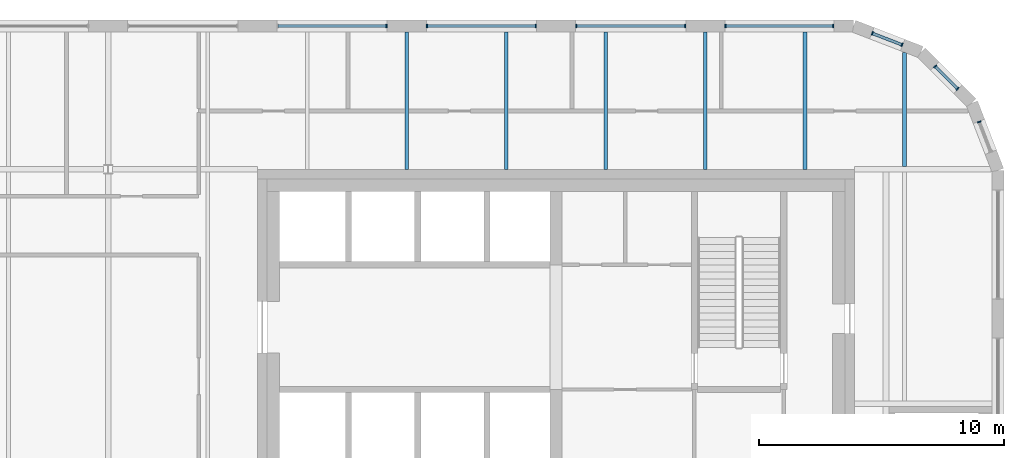
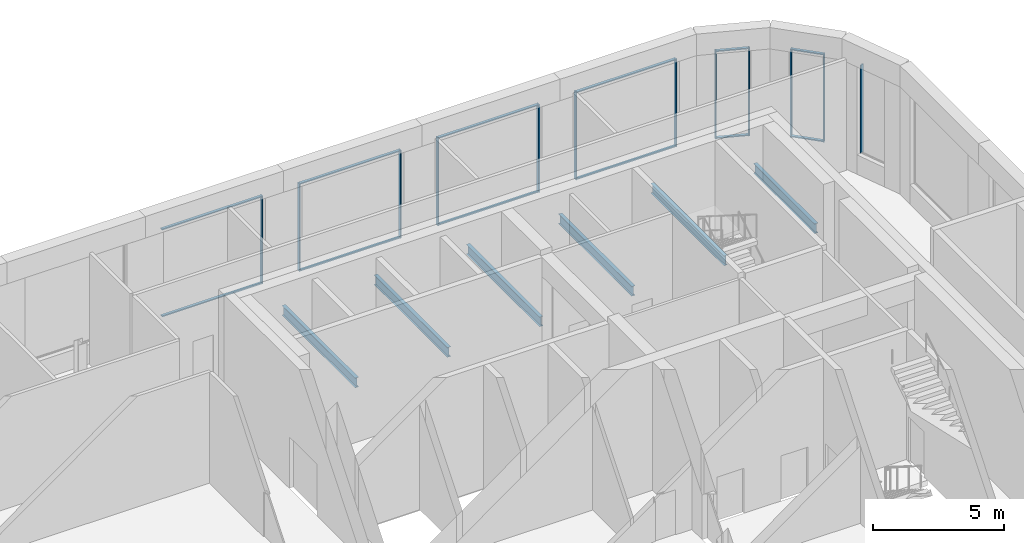
# One storey, part 9 of 19: 24 members, 6 beams, 7 elements without a shape of their own.
"""IFC4 building model written with IfcOpenShell, lengths in metres."""

from ifc_helpers import new_model, si_unit, direction, frame, origin, origin_2d, place, context, subcontext, project, spatial, rectangle, i_section, extrude, material, material_profile, profile_set, type_object, element, aggregate, save


model = new_model("IFC4")

# Units and contexts
model_context = context("Model", 3, precision=1e-05, world=origin(), true_north=direction((0.0, 1.0)))
body_context = subcontext(model_context, "Body", "Model", "MODEL_VIEW")
ifc_project = project(units=[si_unit("LENGTHUNIT", "METRE"), si_unit("AREAUNIT", "SQUARE_METRE"), si_unit("VOLUMEUNIT", "CUBIC_METRE"), si_unit("PLANEANGLEUNIT", "RADIAN"), si_unit("MASSUNIT", "GRAM", prefix="KILO")], contexts=[model_context])

# Site, building, storey
site_placement = place(None, origin())
site = spatial("IfcSite", under=ifc_project, at=site_placement, CompositionType="ELEMENT")
building_placement = place(site_placement, origin())
building = spatial("IfcBuilding", under=site, at=building_placement, Name="Tessera Gate Towers", CompositionType="ELEMENT")
storey_placement = place(building_placement, frame((0.0, 0.0, 259.699951171875)))
storey = spatial("IfcBuildingStorey", under=building, at=storey_placement, Name="L65", CompositionType="ELEMENT", Elevation=259.699951171875)

# Beams
ifc_material_1 = material(Name="Steel 350W", Category="steel")
ifc_material_profile_1 = material_profile(ifc_material_1, i_section(OverallWidth=0.153076171875, OverallDepth=0.455078125, WebThickness=0.008056640625, FlangeThickness=0.01318359375, at=origin_2d()), Name="W460x60")
ifc_profile_set_1 = profile_set([ifc_material_profile_1], Name="Steel 350W")
beam_type = type_object("IfcBeamType", Name="FLOOR SECONDARY W460x60", PredefinedType="BEAM", material=ifc_profile_set_1)
for number, where, z_axis, x_axis, name in (
    (1, (36.60009765625, 48.800048828125, -0.4775390625), (0.0, 1.0, 0.0), (-1.0, 0.0, 0.0), "T1-BM-L65-6357"),
    (2, (40.666748046875, 48.800048828125, -0.4775390625), (0.0, 1.0, 0.0), (-1.0, 0.0, 0.0), "T1-BM-L65-6359"),
    (3, (44.7333984375, 48.800048828125, -0.4775390625), (0.0, 1.0, 0.0), (-1.0, 0.0, 0.0), "T1-BM-L65-6361"),
    (4, (48.800048828125, 48.800048828125, -0.4775390625), (0.0, 1.0, 0.0), (-1.0, 0.0, 0.0), "T1-BM-L65-6362"),
    (5, (52.86669921875, 48.800048828125, -0.4775390625), (0.0, 1.0, 0.0), (-1.0, 0.0, 0.0), "T1-BM-L65-6364"),
):
    element("IfcBeam", number, at=place(storey_placement, frame(where, z_axis=z_axis, x_axis=x_axis)), inside=storey, type_object=beam_type, Name=name, PredefinedType="BEAM", context=body_context, shape_type="SweptSolid", body=[
        extrude(i_section(OverallWidth=0.153076171875, OverallDepth=0.455078125, WebThickness=0.008056640625, FlangeThickness=0.01318359375, at=origin_2d()), origin(), (0.0, 0.0, 1.0), 5.599853515625),
    ])
beam_placement = place(storey_placement, frame((56.933349609375, 48.9140625, -0.4775390625), z_axis=(0.0, 1.0, 0.0), x_axis=(-1.0, 0.0, 0.0)))
element("IfcBeam", 6, at=beam_placement, inside=storey, type_object=beam_type, Name="T1-BM-L65-6368", PredefinedType="BEAM", context=body_context, shape_type="SweptSolid", body=[
    extrude(i_section(OverallWidth=0.153076171875, OverallDepth=0.455078125, WebThickness=0.008056640625, FlangeThickness=0.01318359375, at=origin_2d()), origin(), (0.0, 0.0, 1.0), 4.66552734375),
])

# Curtain wall, member
ifc_material_2 = material(Name="Aluminium frame", Category="aluminium")
curtain_wall_type = type_object("IfcCurtainWallType", Name="CW-S4 observation glass", PredefinedType="NOTDEFINED", material=ifc_material_2)
curtain_wall_1_placement = place(storey_placement, origin())
curtain_wall_1 = element("IfcCurtainWall", 7, at=curtain_wall_1_placement, inside=storey, type_object=curtain_wall_type, Name="Curtain wall observation glass 0101", PredefinedType="NOTDEFINED")
ifc_material_3 = material(Name="Aluminium frame", Category="aluminium")
ifc_material_profile_2 = material_profile(ifc_material_3, rectangle(XDim=0.050048828125, YDim=0.14990234375, at=origin_2d()), Name="AL 50x150")
ifc_profile_set_2 = profile_set([ifc_material_profile_2], Name="Aluminium frame")
member_type_1 = type_object("IfcMemberType", Name="MU-S4 mullion 50x150", PredefinedType="MULLION", material=ifc_profile_set_2)
member_1_placement = place(storey_placement, frame((59.985107421875, 50.736572265625, 0.900146484375), z_axis=(0.0, 0.0, 1.0), x_axis=(-0.359904070394, 0.932989314041, 0.0)))
member_1 = element("IfcMember", 8, at=member_1_placement, type_object=member_type_1, Name="T1-CW4-0101 mullion 2", PredefinedType="MULLION", context=body_context, shape_type="SweptSolid", body=[
    extrude(rectangle(XDim=0.050048828125, YDim=0.14990234375, at=origin_2d()), origin(), (0.0, 0.0, 1.0), 4.099853515625),
])
aggregate(curtain_wall_1, [member_1])

# Curtain wall, members
curtain_wall_2_placement = place(storey_placement, origin())
curtain_wall_2 = element("IfcCurtainWall", 9, at=curtain_wall_2_placement, inside=storey, type_object=curtain_wall_type, Name="Curtain wall observation glass 0102", PredefinedType="NOTDEFINED")
member_2_placement = place(storey_placement, frame((59.104736328125, 52.089599609375, 0.900146484375), z_axis=(0.0, 0.0, 1.0), x_axis=(-0.707106781187, 0.707106781187, 0.0)))
member_2 = element("IfcMember", 10, at=member_2_placement, type_object=member_type_1, Name="T1-CW4-0102 mullion 1", PredefinedType="MULLION", context=body_context, shape_type="SweptSolid", body=[
    extrude(rectangle(XDim=0.050048828125, YDim=0.14990234375, at=origin_2d()), origin(), (0.0, 0.0, 1.0), 4.099853515625),
])
member_3_placement = place(storey_placement, frame((58.189697265625, 53.004638671875, 0.900146484375), z_axis=(0.0, 0.0, 1.0), x_axis=(-0.707106781187, 0.707106781187, 0.0)))
member_3 = element("IfcMember", 11, at=member_3_placement, type_object=member_type_1, Name="T1-CW4-0102 mullion 2", PredefinedType="MULLION", context=body_context, shape_type="SweptSolid", body=[
    extrude(rectangle(XDim=0.050048828125, YDim=0.14990234375, at=origin_2d()), origin(), (0.0, 0.0, 1.0), 4.099853515625),
])

curtain_wall_3_placement = place(storey_placement, origin())
curtain_wall_3 = element("IfcCurtainWall", 12, at=curtain_wall_3_placement, inside=storey, type_object=curtain_wall_type, Name="Curtain wall observation glass 0103", PredefinedType="NOTDEFINED")
member_4_placement = place(storey_placement, frame((56.83642578125, 53.885009765625, 0.900146484375), z_axis=(0.0, 0.0, 1.0), x_axis=(-0.932989314041, 0.359904070394, 0.0)))
member_4 = element("IfcMember", 13, at=member_4_placement, type_object=member_type_1, Name="T1-CW4-0103 mullion 1", PredefinedType="MULLION", context=body_context, shape_type="SweptSolid", body=[
    extrude(rectangle(XDim=0.050048828125, YDim=0.14990234375, at=origin_2d()), origin(), (0.0, 0.0, 1.0), 4.099853515625),
])
member_5_placement = place(storey_placement, frame((55.623291015625, 54.35302734375, 0.900146484375), z_axis=(0.0, 0.0, 1.0), x_axis=(-0.932989314041, 0.359904070394, 0.0)))
member_5 = element("IfcMember", 14, at=member_5_placement, type_object=member_type_1, Name="T1-CW4-0103 mullion 2", PredefinedType="MULLION", context=body_context, shape_type="SweptSolid", body=[
    extrude(rectangle(XDim=0.050048828125, YDim=0.14990234375, at=origin_2d()), origin(), (0.0, 0.0, 1.0), 4.099853515625),
])

curtain_wall_4_placement = place(storey_placement, origin())
curtain_wall_4 = element("IfcCurtainWall", 15, at=curtain_wall_4_placement, inside=storey, type_object=curtain_wall_type, Name="Curtain wall observation glass 0104", PredefinedType="NOTDEFINED")
member_6_placement = place(storey_placement, frame((54.028564453125, 54.64990234375, 0.900146484375), z_axis=(0.0, 0.0, 1.0), x_axis=(-1.0, 0.0, 0.0)))
member_6 = element("IfcMember", 16, at=member_6_placement, type_object=member_type_1, Name="T1-CW4-0104 mullion 1", PredefinedType="MULLION", context=body_context, shape_type="SweptSolid", body=[
    extrude(rectangle(XDim=0.050048828125, YDim=0.14990234375, at=origin_2d()), origin(), (0.0, 0.0, 1.0), 4.099853515625),
])
member_7_placement = place(storey_placement, frame((49.625, 54.64990234375, 0.900146484375), z_axis=(0.0, 0.0, 1.0), x_axis=(-1.0, 0.0, 0.0)))
member_7 = element("IfcMember", 17, at=member_7_placement, type_object=member_type_1, Name="T1-CW4-0104 mullion 2", PredefinedType="MULLION", context=body_context, shape_type="SweptSolid", body=[
    extrude(rectangle(XDim=0.050048828125, YDim=0.14990234375, at=origin_2d()), origin(), (0.0, 0.0, 1.0), 4.099853515625),
])

curtain_wall_5_placement = place(storey_placement, origin())
curtain_wall_5 = element("IfcCurtainWall", 18, at=curtain_wall_5_placement, inside=storey, type_object=curtain_wall_type, Name="Curtain wall observation glass 0105", PredefinedType="NOTDEFINED")
member_8_placement = place(storey_placement, frame((47.97509765625, 54.64990234375, 0.900146484375), z_axis=(0.0, 0.0, 1.0), x_axis=(-1.0, 0.0, 0.0)))
member_8 = element("IfcMember", 19, at=member_8_placement, type_object=member_type_1, Name="T1-CW4-0105 mullion 1", PredefinedType="MULLION", context=body_context, shape_type="SweptSolid", body=[
    extrude(rectangle(XDim=0.050048828125, YDim=0.14990234375, at=origin_2d()), origin(), (0.0, 0.0, 1.0), 4.099853515625),
])
member_9_placement = place(storey_placement, frame((43.52490234375, 54.64990234375, 0.900146484375), z_axis=(0.0, 0.0, 1.0), x_axis=(-1.0, 0.0, 0.0)))
member_9 = element("IfcMember", 20, at=member_9_placement, type_object=member_type_1, Name="T1-CW4-0105 mullion 2", PredefinedType="MULLION", context=body_context, shape_type="SweptSolid", body=[
    extrude(rectangle(XDim=0.050048828125, YDim=0.14990234375, at=origin_2d()), origin(), (0.0, 0.0, 1.0), 4.099853515625),
])

curtain_wall_6_placement = place(storey_placement, origin())
curtain_wall_6 = element("IfcCurtainWall", 21, at=curtain_wall_6_placement, inside=storey, type_object=curtain_wall_type, Name="Curtain wall observation glass 0106", PredefinedType="NOTDEFINED")
member_10_placement = place(storey_placement, frame((41.875, 54.64990234375, 0.900146484375), z_axis=(0.0, 0.0, 1.0), x_axis=(-1.0, 0.0, 0.0)))
member_10 = element("IfcMember", 22, at=member_10_placement, type_object=member_type_1, Name="T1-CW4-0106 mullion 1", PredefinedType="MULLION", context=body_context, shape_type="SweptSolid", body=[
    extrude(rectangle(XDim=0.050048828125, YDim=0.14990234375, at=origin_2d()), origin(), (0.0, 0.0, 1.0), 4.099853515625),
])
member_11_placement = place(storey_placement, frame((37.425048828125, 54.64990234375, 0.900146484375), z_axis=(0.0, 0.0, 1.0), x_axis=(-1.0, 0.0, 0.0)))
member_11 = element("IfcMember", 23, at=member_11_placement, type_object=member_type_1, Name="T1-CW4-0106 mullion 2", PredefinedType="MULLION", context=body_context, shape_type="SweptSolid", body=[
    extrude(rectangle(XDim=0.050048828125, YDim=0.14990234375, at=origin_2d()), origin(), (0.0, 0.0, 1.0), 4.099853515625),
])

# Curtain wall, member
curtain_wall_7_placement = place(storey_placement, origin())
curtain_wall_7 = element("IfcCurtainWall", 24, at=curtain_wall_7_placement, inside=storey, type_object=curtain_wall_type, Name="Curtain wall observation glass 0107", PredefinedType="NOTDEFINED")
member_12_placement = place(storey_placement, frame((35.77490234375, 54.64990234375, 0.900146484375), z_axis=(0.0, 0.0, 1.0), x_axis=(-1.0, 0.0, 0.0)))
member_12 = element("IfcMember", 25, at=member_12_placement, type_object=member_type_1, Name="T1-CW4-0107 mullion 1", PredefinedType="MULLION", context=body_context, shape_type="SweptSolid", body=[
    extrude(rectangle(XDim=0.050048828125, YDim=0.14990234375, at=origin_2d()), origin(), (0.0, 0.0, 1.0), 4.099853515625),
])

# Member
ifc_material_4 = material(Name="Aluminium frame", Category="aluminium")
ifc_material_profile_3 = material_profile(ifc_material_4, rectangle(XDim=0.1201171875, YDim=0.050048828125, at=origin_2d()), Name="AL 50x120")
ifc_profile_set_3 = profile_set([ifc_material_profile_3], Name="Aluminium frame")
member_type_2 = type_object("IfcMemberType", Name="TR-S4 transom 50x120", PredefinedType="USERDEFINED", material=ifc_profile_set_3)
member_13_placement = place(storey_placement, frame((59.087158203125, 52.107421875, 0.925048828125), z_axis=(-0.707204888265, 0.707008660494, 0.0), x_axis=(-0.707008660494, -0.707204888265, 0.0)))
member_13 = element("IfcMember", 26, at=member_13_placement, type_object=member_type_2, Name="T1-CW4-0102 transom 1.1", ObjectType="TRANSOM", PredefinedType="USERDEFINED", context=body_context, shape_type="SweptSolid", body=[
    extrude(rectangle(XDim=0.1201171875, YDim=0.050048828125, at=origin_2d()), origin(), (0.0, 0.0, 1.0), 1.244140625),
])

member_14_placement = place(storey_placement, frame((59.087158203125, 52.107421875, 4.97509765625), z_axis=(-0.707204888265, 0.707008660494, 0.0), x_axis=(-0.707008660494, -0.707204888265, 0.0)))
member_14 = element("IfcMember", 27, at=member_14_placement, type_object=member_type_2, Name="T1-CW4-0102 transom 1.2", ObjectType="TRANSOM", PredefinedType="USERDEFINED", context=body_context, shape_type="SweptSolid", body=[
    extrude(rectangle(XDim=0.1201171875, YDim=0.050048828125, at=origin_2d()), origin(), (0.0, 0.0, 1.0), 1.244140625),
])

aggregate(curtain_wall_2, [member_2, member_3, member_13, member_14])

member_15_placement = place(storey_placement, frame((56.813232421875, 53.89404296875, 0.925048828125), z_axis=(-0.933023195209, 0.359816226987, 0.0), x_axis=(-0.359816226987, -0.933023195209, 0.0)))
member_15 = element("IfcMember", 28, at=member_15_placement, type_object=member_type_2, Name="T1-CW4-0103 transom 1.1", ObjectType="TRANSOM", PredefinedType="USERDEFINED", context=body_context, shape_type="SweptSolid", body=[
    extrude(rectangle(XDim=0.1201171875, YDim=0.050048828125, at=origin_2d()), origin(), (0.0, 0.0, 1.0), 1.25048828125),
])

member_16_placement = place(storey_placement, frame((56.813232421875, 53.89404296875, 4.97509765625), z_axis=(-0.933023195209, 0.359816226987, 0.0), x_axis=(-0.359816226987, -0.933023195209, 0.0)))
member_16 = element("IfcMember", 29, at=member_16_placement, type_object=member_type_2, Name="T1-CW4-0103 transom 1.2", ObjectType="TRANSOM", PredefinedType="USERDEFINED", context=body_context, shape_type="SweptSolid", body=[
    extrude(rectangle(XDim=0.1201171875, YDim=0.050048828125, at=origin_2d()), origin(), (0.0, 0.0, 1.0), 1.25048828125),
])

aggregate(curtain_wall_3, [member_4, member_5, member_15, member_16])

member_17_placement = place(storey_placement, frame((54.00341796875, 54.64990234375, 0.925048828125), z_axis=(-1.0, 0.0, 0.0), x_axis=(0.0, -1.0, 0.0)))
member_17 = element("IfcMember", 30, at=member_17_placement, type_object=member_type_2, Name="T1-CW4-0104 transom 1.1", ObjectType="TRANSOM", PredefinedType="USERDEFINED", context=body_context, shape_type="SweptSolid", body=[
    extrude(rectangle(XDim=0.1201171875, YDim=0.050048828125, at=origin_2d()), origin(), (0.0, 0.0, 1.0), 4.353515625),
])

member_18_placement = place(storey_placement, frame((54.00341796875, 54.64990234375, 4.97509765625), z_axis=(-1.0, 0.0, 0.0), x_axis=(0.0, -1.0, 0.0)))
member_18 = element("IfcMember", 31, at=member_18_placement, type_object=member_type_2, Name="T1-CW4-0104 transom 1.2", ObjectType="TRANSOM", PredefinedType="USERDEFINED", context=body_context, shape_type="SweptSolid", body=[
    extrude(rectangle(XDim=0.1201171875, YDim=0.050048828125, at=origin_2d()), origin(), (0.0, 0.0, 1.0), 4.353515625),
])

aggregate(curtain_wall_4, [member_6, member_7, member_17, member_18])

member_19_placement = place(storey_placement, frame((47.949951171875, 54.64990234375, 0.925048828125), z_axis=(-1.0, 0.0, 0.0), x_axis=(0.0, -1.0, 0.0)))
member_19 = element("IfcMember", 32, at=member_19_placement, type_object=member_type_2, Name="T1-CW4-0105 transom 1.1", ObjectType="TRANSOM", PredefinedType="USERDEFINED", context=body_context, shape_type="SweptSolid", body=[
    extrude(rectangle(XDim=0.1201171875, YDim=0.050048828125, at=origin_2d()), origin(), (0.0, 0.0, 1.0), 4.39990234375),
])

member_20_placement = place(storey_placement, frame((47.949951171875, 54.64990234375, 4.97509765625), z_axis=(-1.0, 0.0, 0.0), x_axis=(0.0, -1.0, 0.0)))
member_20 = element("IfcMember", 33, at=member_20_placement, type_object=member_type_2, Name="T1-CW4-0105 transom 1.2", ObjectType="TRANSOM", PredefinedType="USERDEFINED", context=body_context, shape_type="SweptSolid", body=[
    extrude(rectangle(XDim=0.1201171875, YDim=0.050048828125, at=origin_2d()), origin(), (0.0, 0.0, 1.0), 4.39990234375),
])

aggregate(curtain_wall_5, [member_8, member_9, member_19, member_20])

member_21_placement = place(storey_placement, frame((41.85009765625, 54.64990234375, 0.925048828125), z_axis=(-1.0, 0.0, 0.0), x_axis=(0.0, -1.0, 0.0)))
member_21 = element("IfcMember", 34, at=member_21_placement, type_object=member_type_2, Name="T1-CW4-0106 transom 1.1", ObjectType="TRANSOM", PredefinedType="USERDEFINED", context=body_context, shape_type="SweptSolid", body=[
    extrude(rectangle(XDim=0.1201171875, YDim=0.050048828125, at=origin_2d()), origin(), (0.0, 0.0, 1.0), 4.400146484375),
])

member_22_placement = place(storey_placement, frame((41.85009765625, 54.64990234375, 4.97509765625), z_axis=(-1.0, 0.0, 0.0), x_axis=(0.0, -1.0, 0.0)))
member_22 = element("IfcMember", 35, at=member_22_placement, type_object=member_type_2, Name="T1-CW4-0106 transom 1.2", ObjectType="TRANSOM", PredefinedType="USERDEFINED", context=body_context, shape_type="SweptSolid", body=[
    extrude(rectangle(XDim=0.1201171875, YDim=0.050048828125, at=origin_2d()), origin(), (0.0, 0.0, 1.0), 4.400146484375),
])

aggregate(curtain_wall_6, [member_10, member_11, member_21, member_22])

member_23_placement = place(storey_placement, frame((35.75, 54.64990234375, 0.925048828125), z_axis=(-1.0, 0.0, 0.0), x_axis=(0.0, -1.0, 0.0)))
member_23 = element("IfcMember", 36, at=member_23_placement, type_object=member_type_2, Name="T1-CW4-0107 transom 1.1", ObjectType="TRANSOM", PredefinedType="USERDEFINED", context=body_context, shape_type="SweptSolid", body=[
    extrude(rectangle(XDim=0.1201171875, YDim=0.050048828125, at=origin_2d()), origin(), (0.0, 0.0, 1.0), 4.39990234375),
])

member_24_placement = place(storey_placement, frame((35.75, 54.64990234375, 4.97509765625), z_axis=(-1.0, 0.0, 0.0), x_axis=(0.0, -1.0, 0.0)))
member_24 = element("IfcMember", 37, at=member_24_placement, type_object=member_type_2, Name="T1-CW4-0107 transom 1.2", ObjectType="TRANSOM", PredefinedType="USERDEFINED", context=body_context, shape_type="SweptSolid", body=[
    extrude(rectangle(XDim=0.1201171875, YDim=0.050048828125, at=origin_2d()), origin(), (0.0, 0.0, 1.0), 4.39990234375),
])

aggregate(curtain_wall_7, [member_12, member_23, member_24])

save(model, "model.ifc")
